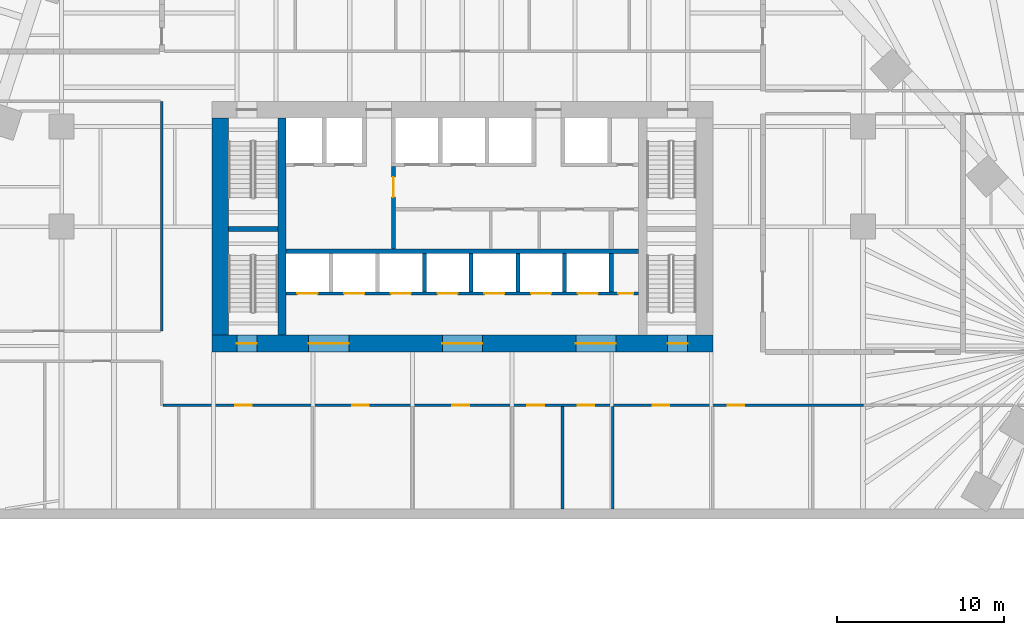
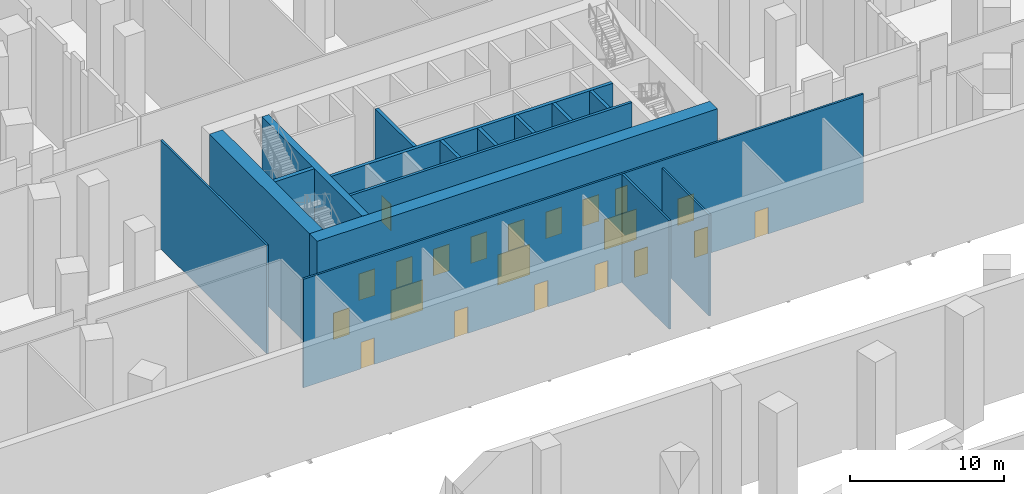
# One storey, part 7 of 23: 21 doors, 16 walls, 21 openings.
"""IFC4 building model written with IfcOpenShell, lengths in metres."""

from ifc_helpers import new_model, si_unit, direction, frame, frame_2d, origin, place, context, subcontext, project, spatial, rectangle, extrude, material, layer, layer_set, type_object, element, fill, save


model = new_model("IFC4")

# Units and contexts
model_context = context("Model", 3, precision=1e-05, world=origin(), true_north=direction((0.0, 1.0)))
body_context = subcontext(model_context, "Body", "Model", "MODEL_VIEW")
ifc_project = project(units=[si_unit("LENGTHUNIT", "METRE"), si_unit("AREAUNIT", "SQUARE_METRE"), si_unit("VOLUMEUNIT", "CUBIC_METRE"), si_unit("PLANEANGLEUNIT", "RADIAN"), si_unit("MASSUNIT", "GRAM", prefix="KILO")], contexts=[model_context])

# Site, building, storey
site_placement = place(None, origin())
site = spatial("IfcSite", under=ifc_project, at=site_placement, CompositionType="ELEMENT")
building_placement = place(site_placement, origin())
building = spatial("IfcBuilding", under=site, at=building_placement, Name="Isthmus Gate Tower", CompositionType="ELEMENT")
storey_placement = place(building_placement, frame((0.0, 0.0, 9.0)))
storey = spatial("IfcBuildingStorey", under=building, at=storey_placement, Name="L01", CompositionType="ELEMENT", Elevation=9.0)

# Wall, opening, door
ifc_material_1 = material(Name="Fire-rated blockwork masonry, 15 MPa", Category="masonry")
ifc_layer_1 = layer(ifc_material_1, 0.25)
ifc_layer_set_1 = layer_set([ifc_layer_1], Name="FIRE-FIGHTING LOBBY WALL 250 90 MIN")
wall_type_1 = type_object("IfcWallType", Name="FIRE-FIGHTING LOBBY WALL 250 90 MIN", PredefinedType="PARTITIONING", material=ifc_layer_set_1)
wall_1_placement = place(storey_placement, frame((-4.125, 6.14990234375, 0.0), z_axis=(0.0, 0.0, 1.0), x_axis=(0.0, 1.0, 0.0)))
wall_1 = element("IfcWall", 1, at=wall_1_placement, inside=storey, type_object=wall_type_1, Name="L01 FIRE-FIGHTING LOBBY WALL 250 90 MIN", PredefinedType="PARTITIONING", context=body_context, shape_type="SweptSolid", body=[
    extrude(rectangle(XDim=4.9501953125, YDim=0.25, at=frame_2d((2.47509765625, 0.0))), origin(), (0.0, 0.0, 1.0), 8.60009765625),
])
opening_1_placement = place(wall_1_placement, frame((3.125, 0.0, 0.0)))
opening_1 = element("IfcOpeningElement", 2, at=opening_1_placement, cuts=wall_1, Name="Opening DC-A02-01", PredefinedType="OPENING", context=body_context, shape_type="SweptSolid", body=[
    extrude(rectangle(XDim=1.199951171875, YDim=2.10009765625, at=frame_2d((0.60009765625, 1.050048828125))), frame((0.0, 0.135009765625, 0.0), z_axis=(0.0, -1.0, 0.0), x_axis=(1.0, 0.0, 0.0)), (0.0, 0.0, 1.0), 0.27001953125),
])
ifc_material_2 = material(Name="Steel door leaf, fire-rated", Category="steel")
door_type_1 = type_object("IfcDoorType", Name="LOBBY FIRE DOOR 1200 X 2100 90 MIN", OperationType="DOUBLE_DOOR_SINGLE_SWING", PredefinedType="DOOR", material=ifc_material_2)
door_1_placement = place(opening_1_placement, origin())
door_1 = element("IfcDoor", 3, at=door_1_placement, inside=storey, type_object=door_type_1, Name="Fire-fighting Lobby Door", OperationType="SINGLE_SWING_LEFT", OverallHeight=2.10009765625, OverallWidth=1.199951171875, PredefinedType="DOOR", context=body_context, shape_type="SweptSolid", body=[
    extrude(rectangle(XDim=1.199951171875, YDim=2.10009765625, at=frame_2d((0.60009765625, 1.050048828125))), frame((0.0, 0.02490234375, 0.0), z_axis=(0.0, -1.0, 0.0), x_axis=(1.0, 0.0, 0.0)), (0.0, 0.0, 1.0), 0.050048828125),
])
fill(opening_1, door_1)

# Wall, openings, doors
ifc_material_3 = material(Name="Gypsum board on cold-formed steel studs", Category="steel")
ifc_layer_2 = layer(ifc_material_3, 0.14990234375)
ifc_layer_set_2 = layer_set([ifc_layer_2])
wall_type_2 = type_object("IfcWallType", Name="Partition 150 gypsum board on steel studs", PredefinedType="PARTITIONING", material=ifc_layer_set_2)
wall_2_placement = place(storey_placement, frame((-17.925048828125, -3.199951171875, 0.0), z_axis=(0.0, 0.0, 1.0), x_axis=(1.0, 0.0, 0.0)))
wall_2 = element("IfcWall", 4, at=wall_2_placement, inside=storey, type_object=wall_type_2, Name="Partition", PredefinedType="PARTITIONING", context=body_context, shape_type="SweptSolid", body=[
    extrude(rectangle(XDim=41.9501953125, YDim=0.14990234375, at=frame_2d((20.97509765625, 0.0))), origin(), (0.0, 0.0, 1.0), 8.60009765625),
])
opening_2_placement = place(wall_2_placement, frame((4.324951171875, 0.0, 0.0)))
opening_2 = element("IfcOpeningElement", 5, at=opening_2_placement, cuts=wall_2, Name="Opening DP01-15", PredefinedType="OPENING", context=body_context, shape_type="SweptSolid", body=[
    extrude(rectangle(XDim=1.0, YDim=2.10009765625, at=frame_2d((0.5, 1.050048828125))), frame((0.0, 0.0849609375, 0.0), z_axis=(0.0, -1.0, 0.0), x_axis=(1.0, 0.0, 0.0)), (0.0, 0.0, 1.0), 0.169921875),
])
opening_3_placement = place(wall_2_placement, frame((11.324951171875, 0.0, 0.0)))
opening_3 = element("IfcOpeningElement", 6, at=opening_3_placement, cuts=wall_2, Name="Opening DP01-16", PredefinedType="OPENING", context=body_context, shape_type="SweptSolid", body=[
    extrude(rectangle(XDim=1.0, YDim=2.10009765625, at=frame_2d((0.5, 1.050048828125))), frame((0.0, 0.0849609375, 0.0), z_axis=(0.0, -1.0, 0.0), x_axis=(1.0, 0.0, 0.0)), (0.0, 0.0, 1.0), 0.169921875),
])
opening_4_placement = place(wall_2_placement, frame((17.324951171875, 0.0, 0.0)))
opening_4 = element("IfcOpeningElement", 7, at=opening_4_placement, cuts=wall_2, Name="Opening DP01-17", PredefinedType="OPENING", context=body_context, shape_type="SweptSolid", body=[
    extrude(rectangle(XDim=1.0, YDim=2.10009765625, at=frame_2d((0.5, 1.050048828125))), frame((0.0, 0.0849609375, 0.0), z_axis=(0.0, -1.0, 0.0), x_axis=(1.0, 0.0, 0.0)), (0.0, 0.0, 1.0), 0.169921875),
])
opening_5_placement = place(wall_2_placement, frame((21.824951171875, 0.0, 0.0)))
opening_5 = element("IfcOpeningElement", 8, at=opening_5_placement, cuts=wall_2, Name="Opening DP01-18", PredefinedType="OPENING", context=body_context, shape_type="SweptSolid", body=[
    extrude(rectangle(XDim=1.0, YDim=2.10009765625, at=frame_2d((0.5, 1.050048828125))), frame((0.0, 0.0849609375, 0.0), z_axis=(0.0, -1.0, 0.0), x_axis=(1.0, 0.0, 0.0)), (0.0, 0.0, 1.0), 0.169921875),
])
opening_6_placement = place(wall_2_placement, frame((24.824951171875, 0.0, 0.0)))
opening_6 = element("IfcOpeningElement", 9, at=opening_6_placement, cuts=wall_2, Name="Opening DP01-19", PredefinedType="OPENING", context=body_context, shape_type="SweptSolid", body=[
    extrude(rectangle(XDim=1.0, YDim=2.10009765625, at=frame_2d((0.5, 1.050048828125))), frame((0.0, 0.0849609375, 0.0), z_axis=(0.0, -1.0, 0.0), x_axis=(1.0, 0.0, 0.0)), (0.0, 0.0, 1.0), 0.169921875),
])
opening_7_placement = place(wall_2_placement, frame((29.324951171875, 0.0, 0.0)))
opening_7 = element("IfcOpeningElement", 10, at=opening_7_placement, cuts=wall_2, Name="Opening DP01-20", PredefinedType="OPENING", context=body_context, shape_type="SweptSolid", body=[
    extrude(rectangle(XDim=1.0, YDim=2.10009765625, at=frame_2d((0.5, 1.050048828125))), frame((0.0, 0.0849609375, 0.0), z_axis=(0.0, -1.0, 0.0), x_axis=(1.0, 0.0, 0.0)), (0.0, 0.0, 1.0), 0.169921875),
])
opening_8_placement = place(wall_2_placement, frame((33.824951171875, 0.0, 0.0)))
opening_8 = element("IfcOpeningElement", 11, at=opening_8_placement, cuts=wall_2, Name="Opening DP01-21", PredefinedType="OPENING", context=body_context, shape_type="SweptSolid", body=[
    extrude(rectangle(XDim=1.0, YDim=2.10009765625, at=frame_2d((0.5, 1.050048828125))), frame((0.0, 0.0849609375, 0.0), z_axis=(0.0, -1.0, 0.0), x_axis=(1.0, 0.0, 0.0)), (0.0, 0.0, 1.0), 0.169921875),
])
ifc_material_4 = material(Name="Hollow metal frame with solid-core timber leaf", Category="wood")
door_type_2 = type_object("IfcDoorType", Name="Single swing door 1000 x 2100", OperationType="SINGLE_SWING_LEFT", PredefinedType="DOOR", material=ifc_material_4)
door_2_placement = place(opening_2_placement, origin())
door_2 = element("IfcDoor", 12, at=door_2_placement, inside=storey, type_object=door_type_2, Name="Door DP01-15", OperationType="SINGLE_SWING_LEFT", OverallHeight=2.10009765625, OverallWidth=1.0, PredefinedType="DOOR", context=body_context, shape_type="SweptSolid", body=[
    extrude(rectangle(XDim=1.0, YDim=2.10009765625, at=frame_2d((0.5, 1.050048828125))), frame((0.0, 0.02490234375, 0.0), z_axis=(0.0, -1.0, 0.0), x_axis=(1.0, 0.0, 0.0)), (0.0, 0.0, 1.0), 0.050048828125),
])
fill(opening_2, door_2)
door_3_placement = place(opening_3_placement, origin())
door_3 = element("IfcDoor", 13, at=door_3_placement, inside=storey, type_object=door_type_2, Name="Door DP01-16", OperationType="SINGLE_SWING_LEFT", OverallHeight=2.10009765625, OverallWidth=1.0, PredefinedType="DOOR", context=body_context, shape_type="SweptSolid", body=[
    extrude(rectangle(XDim=1.0, YDim=2.10009765625, at=frame_2d((0.5, 1.050048828125))), frame((0.0, 0.02490234375, 0.0), z_axis=(0.0, -1.0, 0.0), x_axis=(1.0, 0.0, 0.0)), (0.0, 0.0, 1.0), 0.050048828125),
])
fill(opening_3, door_3)
door_4_placement = place(opening_4_placement, origin())
door_4 = element("IfcDoor", 14, at=door_4_placement, inside=storey, type_object=door_type_2, Name="Door DP01-17", OperationType="SINGLE_SWING_LEFT", OverallHeight=2.10009765625, OverallWidth=1.0, PredefinedType="DOOR", context=body_context, shape_type="SweptSolid", body=[
    extrude(rectangle(XDim=1.0, YDim=2.10009765625, at=frame_2d((0.5, 1.050048828125))), frame((0.0, 0.02490234375, 0.0), z_axis=(0.0, -1.0, 0.0), x_axis=(1.0, 0.0, 0.0)), (0.0, 0.0, 1.0), 0.050048828125),
])
fill(opening_4, door_4)
door_5_placement = place(opening_5_placement, origin())
door_5 = element("IfcDoor", 15, at=door_5_placement, inside=storey, type_object=door_type_2, Name="Door DP01-18", OperationType="SINGLE_SWING_LEFT", OverallHeight=2.10009765625, OverallWidth=1.0, PredefinedType="DOOR", context=body_context, shape_type="SweptSolid", body=[
    extrude(rectangle(XDim=1.0, YDim=2.10009765625, at=frame_2d((0.5, 1.050048828125))), frame((0.0, 0.02490234375, 0.0), z_axis=(0.0, -1.0, 0.0), x_axis=(1.0, 0.0, 0.0)), (0.0, 0.0, 1.0), 0.050048828125),
])
fill(opening_5, door_5)
door_6_placement = place(opening_6_placement, origin())
door_6 = element("IfcDoor", 16, at=door_6_placement, inside=storey, type_object=door_type_2, Name="Door DP01-19", OperationType="SINGLE_SWING_LEFT", OverallHeight=2.10009765625, OverallWidth=1.0, PredefinedType="DOOR", context=body_context, shape_type="SweptSolid", body=[
    extrude(rectangle(XDim=1.0, YDim=2.10009765625, at=frame_2d((0.5, 1.050048828125))), frame((0.0, 0.02490234375, 0.0), z_axis=(0.0, -1.0, 0.0), x_axis=(1.0, 0.0, 0.0)), (0.0, 0.0, 1.0), 0.050048828125),
])
fill(opening_6, door_6)
door_7_placement = place(opening_7_placement, origin())
door_7 = element("IfcDoor", 17, at=door_7_placement, inside=storey, type_object=door_type_2, Name="Door DP01-20", OperationType="SINGLE_SWING_LEFT", OverallHeight=2.10009765625, OverallWidth=1.0, PredefinedType="DOOR", context=body_context, shape_type="SweptSolid", body=[
    extrude(rectangle(XDim=1.0, YDim=2.10009765625, at=frame_2d((0.5, 1.050048828125))), frame((0.0, 0.02490234375, 0.0), z_axis=(0.0, -1.0, 0.0), x_axis=(1.0, 0.0, 0.0)), (0.0, 0.0, 1.0), 0.050048828125),
])
fill(opening_7, door_7)
door_8_placement = place(opening_8_placement, origin())
door_8 = element("IfcDoor", 18, at=door_8_placement, inside=storey, type_object=door_type_2, Name="Door DP01-21", OperationType="SINGLE_SWING_LEFT", OverallHeight=2.10009765625, OverallWidth=1.0, PredefinedType="DOOR", context=body_context, shape_type="SweptSolid", body=[
    extrude(rectangle(XDim=1.0, YDim=2.10009765625, at=frame_2d((0.5, 1.050048828125))), frame((0.0, 0.02490234375, 0.0), z_axis=(0.0, -1.0, 0.0), x_axis=(1.0, 0.0, 0.0)), (0.0, 0.0, 1.0), 0.050048828125),
])
fill(opening_8, door_8)

# Walls
wall_3_placement = place(storey_placement, frame((-18.0, 1.251220703125, 0.0), z_axis=(0.0, 0.0, 1.0), x_axis=(0.0, 1.0, 0.0)))
element("IfcWall", 19, at=wall_3_placement, inside=storey, type_object=wall_type_2, Name="Partition", PredefinedType="PARTITIONING", context=body_context, shape_type="SweptSolid", body=[
    extrude(rectangle(XDim=13.748779296875, YDim=0.14990234375, at=frame_2d((6.87451171875, 0.0))), origin(), (0.0, 0.0, 1.0), 8.60009765625),
])
wall_4_placement = place(storey_placement, frame((6.0, -9.39990234375, 0.0), z_axis=(0.0, 0.0, 1.0), x_axis=(0.0, 1.0, 0.0)))
element("IfcWall", 20, at=wall_4_placement, inside=storey, type_object=wall_type_2, Name="Partition", PredefinedType="PARTITIONING", context=body_context, shape_type="SweptSolid", body=[
    extrude(rectangle(XDim=6.125, YDim=0.14990234375, at=frame_2d((3.0625, 0.0))), origin(), (0.0, 0.0, 1.0), 8.60009765625),
])
wall_5_placement = place(storey_placement, frame((9.0, -9.39990234375, 0.0), z_axis=(0.0, 0.0, 1.0), x_axis=(0.0, 1.0, 0.0)))
element("IfcWall", 21, at=wall_5_placement, inside=storey, type_object=wall_type_2, Name="Partition", PredefinedType="PARTITIONING", context=body_context, shape_type="SweptSolid", body=[
    extrude(rectangle(XDim=6.125, YDim=0.14990234375, at=frame_2d((3.0625, 0.0))), origin(), (0.0, 0.0, 1.0), 7.996826171875),
])
ifc_material_5 = material(Name="Concrete f'c 70 MPa", Category="concrete")
ifc_layer_3 = layer(ifc_material_5, 0.5)
ifc_layer_set_3 = layer_set([ifc_layer_3], Name="RC CORE SPINE WALL 500 F'C 70")
wall_type_3 = type_object("IfcWallType", Name="RC CORE SPINE WALL 500 F'C 70", PredefinedType="SOLIDWALL", material=ifc_layer_set_3)
wall_6_placement = place(storey_placement, frame((-10.800048828125, 1.0, -0.39990234375), z_axis=(0.0, 0.0, 1.0), x_axis=(0.0, 1.0, 0.0)))
element("IfcWall", 22, at=wall_6_placement, inside=storey, type_object=wall_type_3, Name="str-corewall-L01-SPW", PredefinedType="SOLIDWALL", context=body_context, shape_type="SweptSolid", body=[
    extrude(rectangle(XDim=13.0, YDim=0.5, at=frame_2d((6.5, 0.0))), origin(), (0.0, 0.0, 1.0), 9.0),
])

# Wall, openings, doors
ifc_material_6 = material(Name="Concrete f'c 70 MPa", Category="concrete")
ifc_layer_4 = layer(ifc_material_6, 1.0)
ifc_layer_set_4 = layer_set([ifc_layer_4], Name="RC CORE WALL 1000 F'C 70")
wall_type_4 = type_object("IfcWallType", Name="RC CORE WALL 1000 F'C 70", PredefinedType="SOLIDWALL", material=ifc_layer_set_4)
wall_7_placement = place(storey_placement, frame((-15.0, 0.5, -0.39990234375), z_axis=(0.0, 0.0, 1.0), x_axis=(1.0, 0.0, 0.0)))
wall_7 = element("IfcWall", 23, at=wall_7_placement, inside=storey, type_object=wall_type_4, Name="str-corewall-L01-S", PredefinedType="SOLIDWALL", context=body_context, shape_type="SweptSolid", body=[
    extrude(rectangle(XDim=30.0, YDim=1.0, at=frame_2d((15.0, 0.0))), origin(), (0.0, 0.0, 1.0), 9.0),
])
opening_9_placement = place(wall_7_placement, frame((5.800048828125, 0.0, 0.39990234375)))
opening_9 = element("IfcOpeningElement", 24, at=opening_9_placement, cuts=wall_7, Name="Opening DC-A02-08", PredefinedType="OPENING", context=body_context, shape_type="SweptSolid", body=[
    extrude(rectangle(XDim=2.39990234375, YDim=2.39990234375, at=frame_2d((1.199951171875, 1.199951171875))), frame((0.0, 0.510009765625, 0.0), z_axis=(0.0, -1.0, 0.0), x_axis=(1.0, 0.0, 0.0)), (0.0, 0.0, 1.0), 1.02001953125),
])
opening_10_placement = place(wall_7_placement, frame((13.800048828125, 0.0, 0.39990234375)))
opening_10 = element("IfcOpeningElement", 25, at=opening_10_placement, cuts=wall_7, Name="Opening DC-A02-09", PredefinedType="OPENING", context=body_context, shape_type="SweptSolid", body=[
    extrude(rectangle(XDim=2.39990234375, YDim=2.39990234375, at=frame_2d((1.199951171875, 1.199951171875))), frame((0.0, 0.510009765625, 0.0), z_axis=(0.0, -1.0, 0.0), x_axis=(1.0, 0.0, 0.0)), (0.0, 0.0, 1.0), 1.02001953125),
])
opening_11_placement = place(wall_7_placement, frame((21.800048828125, 0.0, 0.39990234375)))
opening_11 = element("IfcOpeningElement", 26, at=opening_11_placement, cuts=wall_7, Name="Opening DC-A02-10", PredefinedType="OPENING", context=body_context, shape_type="SweptSolid", body=[
    extrude(rectangle(XDim=2.39990234375, YDim=2.39990234375, at=frame_2d((1.199951171875, 1.199951171875))), frame((0.0, 0.510009765625, 0.0), z_axis=(0.0, -1.0, 0.0), x_axis=(1.0, 0.0, 0.0)), (0.0, 0.0, 1.0), 1.02001953125),
])
opening_12_placement = place(wall_7_placement, frame((1.5, 0.0, 0.39990234375)))
opening_12 = element("IfcOpeningElement", 27, at=opening_12_placement, cuts=wall_7, Name="Opening DC-A02-15", PredefinedType="OPENING", context=body_context, shape_type="SweptSolid", body=[
    extrude(rectangle(XDim=1.199951171875, YDim=2.10009765625, at=frame_2d((0.60009765625, 1.050048828125))), frame((0.0, 0.510009765625, 0.0), z_axis=(0.0, -1.0, 0.0), x_axis=(1.0, 0.0, 0.0)), (0.0, 0.0, 1.0), 1.02001953125),
])
opening_13_placement = place(wall_7_placement, frame((27.300048828125, 0.0, 0.39990234375)))
opening_13 = element("IfcOpeningElement", 28, at=opening_13_placement, cuts=wall_7, Name="Opening DC-A02-16", PredefinedType="OPENING", context=body_context, shape_type="SweptSolid", body=[
    extrude(rectangle(XDim=1.199951171875, YDim=2.10009765625, at=frame_2d((0.60009765625, 1.050048828125))), frame((0.0, 0.510009765625, 0.0), z_axis=(0.0, -1.0, 0.0), x_axis=(1.0, 0.0, 0.0)), (0.0, 0.0, 1.0), 1.02001953125),
])
ifc_material_7 = material(Name="Laminated safety glass in steel frame, fire-rated", Category="steel")
door_type_3 = type_object("IfcDoorType", Name="LOBBY ENTRANCE FIRE DOOR 2400 X 2400 60 MIN", OperationType="DOUBLE_DOOR_DOUBLE_SWING", PredefinedType="DOOR", material=ifc_material_7)
door_9_placement = place(opening_9_placement, origin())
door_9 = element("IfcDoor", 29, at=door_9_placement, inside=storey, type_object=door_type_3, Name="Lobby Entrance PS-W", OperationType="DOUBLE_DOOR_DOUBLE_SWING", OverallHeight=2.39990234375, OverallWidth=2.39990234375, PredefinedType="DOOR", context=body_context, shape_type="SweptSolid", body=[
    extrude(rectangle(XDim=2.39990234375, YDim=2.39990234375, at=frame_2d((1.199951171875, 1.199951171875))), frame((0.0, 0.02490234375, 0.0), z_axis=(0.0, -1.0, 0.0), x_axis=(1.0, 0.0, 0.0)), (0.0, 0.0, 1.0), 0.050048828125),
])
fill(opening_9, door_9)
door_10_placement = place(opening_10_placement, origin())
door_10 = element("IfcDoor", 30, at=door_10_placement, inside=storey, type_object=door_type_3, Name="Lobby Entrance PS-C", OperationType="DOUBLE_DOOR_DOUBLE_SWING", OverallHeight=2.39990234375, OverallWidth=2.39990234375, PredefinedType="DOOR", context=body_context, shape_type="SweptSolid", body=[
    extrude(rectangle(XDim=2.39990234375, YDim=2.39990234375, at=frame_2d((1.199951171875, 1.199951171875))), frame((0.0, 0.02490234375, 0.0), z_axis=(0.0, -1.0, 0.0), x_axis=(1.0, 0.0, 0.0)), (0.0, 0.0, 1.0), 0.050048828125),
])
fill(opening_10, door_10)
door_11_placement = place(opening_11_placement, origin())
door_11 = element("IfcDoor", 31, at=door_11_placement, inside=storey, type_object=door_type_3, Name="Lobby Entrance PS-E", OperationType="DOUBLE_DOOR_DOUBLE_SWING", OverallHeight=2.39990234375, OverallWidth=2.39990234375, PredefinedType="DOOR", context=body_context, shape_type="SweptSolid", body=[
    extrude(rectangle(XDim=2.39990234375, YDim=2.39990234375, at=frame_2d((1.199951171875, 1.199951171875))), frame((0.0, 0.02490234375, 0.0), z_axis=(0.0, -1.0, 0.0), x_axis=(1.0, 0.0, 0.0)), (0.0, 0.0, 1.0), 0.050048828125),
])
fill(opening_11, door_11)
ifc_material_8 = material(Name="Steel door leaf, fire-rated", Category="steel")
door_type_4 = type_object("IfcDoorType", Name="STAIR FIRE DOOR 1200 X 2100 90 MIN", OperationType="SINGLE_SWING_LEFT", PredefinedType="DOOR", material=ifc_material_8)
door_12_placement = place(opening_12_placement, origin())
door_12 = element("IfcDoor", 32, at=door_12_placement, inside=storey, type_object=door_type_4, Name="Exit Stair 7 Door", OperationType="SINGLE_SWING_LEFT", OverallHeight=2.10009765625, OverallWidth=1.199951171875, PredefinedType="DOOR", context=body_context, shape_type="SweptSolid", body=[
    extrude(rectangle(XDim=1.199951171875, YDim=2.10009765625, at=frame_2d((0.60009765625, 1.050048828125))), frame((0.0, 0.02490234375, 0.0), z_axis=(0.0, -1.0, 0.0), x_axis=(1.0, 0.0, 0.0)), (0.0, 0.0, 1.0), 0.050048828125),
])
fill(opening_12, door_12)
door_13_placement = place(opening_13_placement, origin())
door_13 = element("IfcDoor", 33, at=door_13_placement, inside=storey, type_object=door_type_4, Name="Exit Stair 8 Door", OperationType="SINGLE_SWING_RIGHT", OverallHeight=2.10009765625, OverallWidth=1.199951171875, PredefinedType="DOOR", context=body_context, shape_type="SweptSolid", body=[
    extrude(rectangle(XDim=1.199951171875, YDim=2.10009765625, at=frame_2d((0.60009765625, 1.050048828125))), frame((0.0, 0.02490234375, 0.0), z_axis=(0.0, -1.0, 0.0), x_axis=(1.0, 0.0, 0.0)), (0.0, 0.0, 1.0), 0.050048828125),
])
fill(opening_13, door_13)

# Wall
wall_8_placement = place(storey_placement, frame((-14.5, 1.0, -0.39990234375), z_axis=(0.0, 0.0, 1.0), x_axis=(0.0, 1.0, 0.0)))
element("IfcWall", 34, at=wall_8_placement, inside=storey, type_object=wall_type_4, Name="str-corewall-L01-W", PredefinedType="SOLIDWALL", context=body_context, shape_type="SweptSolid", body=[
    extrude(rectangle(XDim=13.0, YDim=1.0, at=frame_2d((6.5, 0.0))), origin(), (0.0, 0.0, 1.0), 9.0),
])

# Wall, openings, doors
ifc_material_9 = material(Name="Fire-rated blockwork masonry, 15 MPa", Category="masonry")
ifc_layer_5 = layer(ifc_material_9, 0.199951171875)
ifc_layer_set_5 = layer_set([ifc_layer_5], Name="SHAFT FRONT WALL 200 120 MIN")
wall_type_5 = type_object("IfcWallType", Name="SHAFT FRONT WALL 200 120 MIN", PredefinedType="PARTITIONING", material=ifc_layer_set_5)
wall_9_placement = place(storey_placement, frame((-10.550048828125, 3.5, 0.0), z_axis=(0.0, 0.0, 1.0), x_axis=(1.0, 0.0, 0.0)))
wall_9 = element("IfcWall", 35, at=wall_9_placement, inside=storey, type_object=wall_type_5, Name="L01 SHAFT FRONT WALL 200 120 MIN", PredefinedType="PARTITIONING", context=body_context, shape_type="SweptSolid", body=[
    extrude(rectangle(XDim=21.10009765625, YDim=0.199951171875, at=frame_2d((10.550048828125, 0.0))), origin(), (0.0, 0.0, 1.0), 8.60009765625),
])
opening_14_placement = place(wall_9_placement, frame((0.675048828125, 0.0, 0.0)))
opening_14 = element("IfcOpeningElement", 36, at=opening_14_placement, cuts=wall_9, Name="Opening LD-LA1", PredefinedType="OPENING", context=body_context, shape_type="SweptSolid", body=[
    extrude(rectangle(XDim=1.199951171875, YDim=2.10009765625, at=frame_2d((0.60009765625, 1.050048828125))), frame((0.0, 0.10986328125, 0.0), z_axis=(0.0, -1.0, 0.0), x_axis=(1.0, 0.0, 0.0)), (0.0, 0.0, 1.0), 0.219970703125),
])
opening_15_placement = place(wall_9_placement, frame((3.47509765625, 0.0, 0.0)))
opening_15 = element("IfcOpeningElement", 37, at=opening_15_placement, cuts=wall_9, Name="Opening LD-LA2", PredefinedType="OPENING", context=body_context, shape_type="SweptSolid", body=[
    extrude(rectangle(XDim=1.199951171875, YDim=2.10009765625, at=frame_2d((0.60009765625, 1.050048828125))), frame((0.0, 0.10986328125, 0.0), z_axis=(0.0, -1.0, 0.0), x_axis=(1.0, 0.0, 0.0)), (0.0, 0.0, 1.0), 0.219970703125),
])
opening_16_placement = place(wall_9_placement, frame((6.27490234375, 0.0, 0.0)))
opening_16 = element("IfcOpeningElement", 38, at=opening_16_placement, cuts=wall_9, Name="Opening LD-LA3", PredefinedType="OPENING", context=body_context, shape_type="SweptSolid", body=[
    extrude(rectangle(XDim=1.199951171875, YDim=2.10009765625, at=frame_2d((0.60009765625, 1.050048828125))), frame((0.0, 0.10986328125, 0.0), z_axis=(0.0, -1.0, 0.0), x_axis=(1.0, 0.0, 0.0)), (0.0, 0.0, 1.0), 0.219970703125),
])
opening_17_placement = place(wall_9_placement, frame((9.074951171875, 0.0, 0.0)))
opening_17 = element("IfcOpeningElement", 39, at=opening_17_placement, cuts=wall_9, Name="Opening LD-LA4", PredefinedType="OPENING", context=body_context, shape_type="SweptSolid", body=[
    extrude(rectangle(XDim=1.199951171875, YDim=2.10009765625, at=frame_2d((0.60009765625, 1.050048828125))), frame((0.0, 0.10986328125, 0.0), z_axis=(0.0, -1.0, 0.0), x_axis=(1.0, 0.0, 0.0)), (0.0, 0.0, 1.0), 0.219970703125),
])
opening_18_placement = place(wall_9_placement, frame((11.875, 0.0, 0.0)))
opening_18 = element("IfcOpeningElement", 40, at=opening_18_placement, cuts=wall_9, Name="Opening LD-LA5", PredefinedType="OPENING", context=body_context, shape_type="SweptSolid", body=[
    extrude(rectangle(XDim=1.199951171875, YDim=2.10009765625, at=frame_2d((0.60009765625, 1.050048828125))), frame((0.0, 0.10986328125, 0.0), z_axis=(0.0, -1.0, 0.0), x_axis=(1.0, 0.0, 0.0)), (0.0, 0.0, 1.0), 0.219970703125),
])
opening_19_placement = place(wall_9_placement, frame((14.675048828125, 0.0, 0.0)))
opening_19 = element("IfcOpeningElement", 41, at=opening_19_placement, cuts=wall_9, Name="Opening LD-LA6", PredefinedType="OPENING", context=body_context, shape_type="SweptSolid", body=[
    extrude(rectangle(XDim=1.199951171875, YDim=2.10009765625, at=frame_2d((0.60009765625, 1.050048828125))), frame((0.0, 0.10986328125, 0.0), z_axis=(0.0, -1.0, 0.0), x_axis=(1.0, 0.0, 0.0)), (0.0, 0.0, 1.0), 0.219970703125),
])
opening_20_placement = place(wall_9_placement, frame((17.47509765625, 0.0, 0.0)))
opening_20 = element("IfcOpeningElement", 42, at=opening_20_placement, cuts=wall_9, Name="Opening LD-LA7", PredefinedType="OPENING", context=body_context, shape_type="SweptSolid", body=[
    extrude(rectangle(XDim=1.199951171875, YDim=2.10009765625, at=frame_2d((0.60009765625, 1.050048828125))), frame((0.0, 0.10986328125, 0.0), z_axis=(0.0, -1.0, 0.0), x_axis=(1.0, 0.0, 0.0)), (0.0, 0.0, 1.0), 0.219970703125),
])
opening_21_placement = place(wall_9_placement, frame((19.89990234375, 0.0, 0.0)))
opening_21 = element("IfcOpeningElement", 43, at=opening_21_placement, cuts=wall_9, Name="Opening DC-A02-02", PredefinedType="OPENING", context=body_context, shape_type="SweptSolid", body=[
    extrude(rectangle(XDim=0.89990234375, YDim=2.10009765625, at=frame_2d((0.449951171875, 1.050048828125))), frame((0.0, 0.10986328125, 0.0), z_axis=(0.0, -1.0, 0.0), x_axis=(1.0, 0.0, 0.0)), (0.0, 0.0, 1.0), 0.219970703125),
])
ifc_material_10 = material(Name="Stainless steel sliding leaf", Category="steel")
door_type_5 = type_object("IfcDoorType", Name="LIFT LANDING FIRE DOOR 1200 X 2100 90 MIN", OperationType="DOUBLE_DOOR_SLIDING", PredefinedType="DOOR", material=ifc_material_10)
door_14_placement = place(opening_14_placement, origin())
door_14 = element("IfcDoor", 44, at=door_14_placement, inside=storey, type_object=door_type_5, Name="Lift Landing Door LA1", OperationType="DOUBLE_DOOR_SLIDING", OverallHeight=2.10009765625, OverallWidth=1.199951171875, PredefinedType="DOOR", context=body_context, shape_type="SweptSolid", body=[
    extrude(rectangle(XDim=1.199951171875, YDim=2.10009765625, at=frame_2d((0.60009765625, 1.050048828125))), frame((0.0, 0.02490234375, 0.0), z_axis=(0.0, -1.0, 0.0), x_axis=(1.0, 0.0, 0.0)), (0.0, 0.0, 1.0), 0.050048828125),
])
fill(opening_14, door_14)
door_15_placement = place(opening_15_placement, origin())
door_15 = element("IfcDoor", 45, at=door_15_placement, inside=storey, type_object=door_type_5, Name="Lift Landing Door LA2", OperationType="DOUBLE_DOOR_SLIDING", OverallHeight=2.10009765625, OverallWidth=1.199951171875, PredefinedType="DOOR", context=body_context, shape_type="SweptSolid", body=[
    extrude(rectangle(XDim=1.199951171875, YDim=2.10009765625, at=frame_2d((0.60009765625, 1.050048828125))), frame((0.0, 0.02490234375, 0.0), z_axis=(0.0, -1.0, 0.0), x_axis=(1.0, 0.0, 0.0)), (0.0, 0.0, 1.0), 0.050048828125),
])
fill(opening_15, door_15)
door_16_placement = place(opening_16_placement, origin())
door_16 = element("IfcDoor", 46, at=door_16_placement, inside=storey, type_object=door_type_5, Name="Lift Landing Door LA3", OperationType="DOUBLE_DOOR_SLIDING", OverallHeight=2.10009765625, OverallWidth=1.199951171875, PredefinedType="DOOR", context=body_context, shape_type="SweptSolid", body=[
    extrude(rectangle(XDim=1.199951171875, YDim=2.10009765625, at=frame_2d((0.60009765625, 1.050048828125))), frame((0.0, 0.02490234375, 0.0), z_axis=(0.0, -1.0, 0.0), x_axis=(1.0, 0.0, 0.0)), (0.0, 0.0, 1.0), 0.050048828125),
])
fill(opening_16, door_16)
door_17_placement = place(opening_17_placement, origin())
door_17 = element("IfcDoor", 47, at=door_17_placement, inside=storey, type_object=door_type_5, Name="Lift Landing Door LA4", OperationType="DOUBLE_DOOR_SLIDING", OverallHeight=2.10009765625, OverallWidth=1.199951171875, PredefinedType="DOOR", context=body_context, shape_type="SweptSolid", body=[
    extrude(rectangle(XDim=1.199951171875, YDim=2.10009765625, at=frame_2d((0.60009765625, 1.050048828125))), frame((0.0, 0.02490234375, 0.0), z_axis=(0.0, -1.0, 0.0), x_axis=(1.0, 0.0, 0.0)), (0.0, 0.0, 1.0), 0.050048828125),
])
fill(opening_17, door_17)
door_18_placement = place(opening_18_placement, origin())
door_18 = element("IfcDoor", 48, at=door_18_placement, inside=storey, type_object=door_type_5, Name="Lift Landing Door LA5", OperationType="DOUBLE_DOOR_SLIDING", OverallHeight=2.10009765625, OverallWidth=1.199951171875, PredefinedType="DOOR", context=body_context, shape_type="SweptSolid", body=[
    extrude(rectangle(XDim=1.199951171875, YDim=2.10009765625, at=frame_2d((0.60009765625, 1.050048828125))), frame((0.0, 0.02490234375, 0.0), z_axis=(0.0, -1.0, 0.0), x_axis=(1.0, 0.0, 0.0)), (0.0, 0.0, 1.0), 0.050048828125),
])
fill(opening_18, door_18)
door_19_placement = place(opening_19_placement, origin())
door_19 = element("IfcDoor", 49, at=door_19_placement, inside=storey, type_object=door_type_5, Name="Lift Landing Door LA6", OperationType="DOUBLE_DOOR_SLIDING", OverallHeight=2.10009765625, OverallWidth=1.199951171875, PredefinedType="DOOR", context=body_context, shape_type="SweptSolid", body=[
    extrude(rectangle(XDim=1.199951171875, YDim=2.10009765625, at=frame_2d((0.60009765625, 1.050048828125))), frame((0.0, 0.02490234375, 0.0), z_axis=(0.0, -1.0, 0.0), x_axis=(1.0, 0.0, 0.0)), (0.0, 0.0, 1.0), 0.050048828125),
])
fill(opening_19, door_19)
door_20_placement = place(opening_20_placement, origin())
door_20 = element("IfcDoor", 50, at=door_20_placement, inside=storey, type_object=door_type_5, Name="Lift Landing Door LA7", OperationType="DOUBLE_DOOR_SLIDING", OverallHeight=2.10009765625, OverallWidth=1.199951171875, PredefinedType="DOOR", context=body_context, shape_type="SweptSolid", body=[
    extrude(rectangle(XDim=1.199951171875, YDim=2.10009765625, at=frame_2d((0.60009765625, 1.050048828125))), frame((0.0, 0.02490234375, 0.0), z_axis=(0.0, -1.0, 0.0), x_axis=(1.0, 0.0, 0.0)), (0.0, 0.0, 1.0), 0.050048828125),
])
fill(opening_20, door_20)
ifc_material_11 = material(Name="Steel door leaf, fire-rated", Category="steel")
door_type_6 = type_object("IfcDoorType", Name="RISER FIRE DOOR 900 X 2100 90 MIN", OperationType="SINGLE_SWING_LEFT", PredefinedType="DOOR", material=ifc_material_11)
door_21_placement = place(opening_21_placement, origin())
door_21 = element("IfcDoor", 51, at=door_21_placement, inside=storey, type_object=door_type_6, Name="Riser Door", OperationType="SINGLE_SWING_RIGHT", OverallHeight=2.10009765625, OverallWidth=0.89990234375, PredefinedType="DOOR", context=body_context, shape_type="SweptSolid", body=[
    extrude(rectangle(XDim=0.89990234375, YDim=2.10009765625, at=frame_2d((0.449951171875, 1.050048828125))), frame((0.0, 0.02490234375, 0.0), z_axis=(0.0, -1.0, 0.0), x_axis=(1.0, 0.0, 0.0)), (0.0, 0.0, 1.0), 0.050048828125),
])
fill(opening_21, door_21)

# Walls
ifc_material_12 = material(Name="Fire-rated blockwork masonry, 15 MPa", Category="masonry")
ifc_layer_6 = layer(ifc_material_12, 0.25)
ifc_layer_set_6 = layer_set([ifc_layer_6], Name="SHAFT WALL 250 120 MIN")
wall_type_6 = type_object("IfcWallType", Name="SHAFT WALL 250 120 MIN", PredefinedType="PARTITIONING", material=ifc_layer_set_6)
wall_10_placement = place(storey_placement, frame((-10.550048828125, 6.02490234375, 0.0), z_axis=(0.0, 0.0, 1.0), x_axis=(1.0, 0.0, 0.0)))
element("IfcWall", 52, at=wall_10_placement, inside=storey, type_object=wall_type_6, Name="L01 SHAFT WALL 250 120 MIN", PredefinedType="PARTITIONING", context=body_context, shape_type="SweptSolid", body=[
    extrude(rectangle(XDim=21.10009765625, YDim=0.25, at=frame_2d((10.550048828125, 0.0))), origin(), (0.0, 0.0, 1.0), 8.60009765625),
])
for number, where, z_axis, x_axis, name in (
    (53, (-2.27490234375, 3.60009765625, 0.0), (0.0, 0.0, 1.0), (0.0, 1.0, 0.0), "L01 SHAFT WALL 250 120 MIN"),
    (54, (0.52490234375, 3.60009765625, 0.0), (0.0, 0.0, 1.0), (0.0, 1.0, 0.0), "L01 SHAFT WALL 250 120 MIN"),
    (55, (3.324951171875, 3.60009765625, 0.0), (0.0, 0.0, 1.0), (0.0, 1.0, 0.0), "L01 SHAFT WALL 250 120 MIN"),
    (56, (6.125, 3.60009765625, 0.0), (0.0, 0.0, 1.0), (0.0, 1.0, 0.0), "L01 SHAFT WALL 250 120 MIN"),
    (57, (8.925048828125, 3.60009765625, 0.0), (0.0, 0.0, 1.0), (0.0, 1.0, 0.0), "L01 SHAFT WALL 250 120 MIN"),
):
    element("IfcWall", number, at=place(storey_placement, frame(where, z_axis=z_axis, x_axis=x_axis)), inside=storey, type_object=wall_type_6, Name=name, PredefinedType="PARTITIONING", context=body_context, shape_type="SweptSolid", body=[
        extrude(rectangle(XDim=2.2998046875, YDim=0.25, at=frame_2d((1.14990234375, 0.0))), origin(), (0.0, 0.0, 1.0), 8.60009765625),
    ])
ifc_material_13 = material(Name="Concrete f'c 40 MPa", Category="concrete")
ifc_layer_7 = layer(ifc_material_13, 0.300048828125)
ifc_layer_set_7 = layer_set([ifc_layer_7], Name="STAIR ENCLOSURE WALL 300 180 MIN")
wall_type_7 = type_object("IfcWallType", Name="STAIR ENCLOSURE WALL 300 180 MIN", PredefinedType="SOLIDWALL", material=ifc_layer_set_7)
wall_11_placement = place(storey_placement, frame((-14.0, 7.35009765625, -0.39990234375), z_axis=(0.0, 0.0, 1.0), x_axis=(1.0, 0.0, 0.0)))
element("IfcWall", 58, at=wall_11_placement, inside=storey, type_object=wall_type_7, Name="L01 STAIR ENCLOSURE WALL 300 180 MIN", PredefinedType="SOLIDWALL", context=body_context, shape_type="SweptSolid", body=[
    extrude(rectangle(XDim=2.949951171875, YDim=0.300048828125, at=frame_2d((1.47509765625, 0.0))), origin(), (0.0, 0.0, 1.0), 9.0),
])

save(model, "model.ifc")
